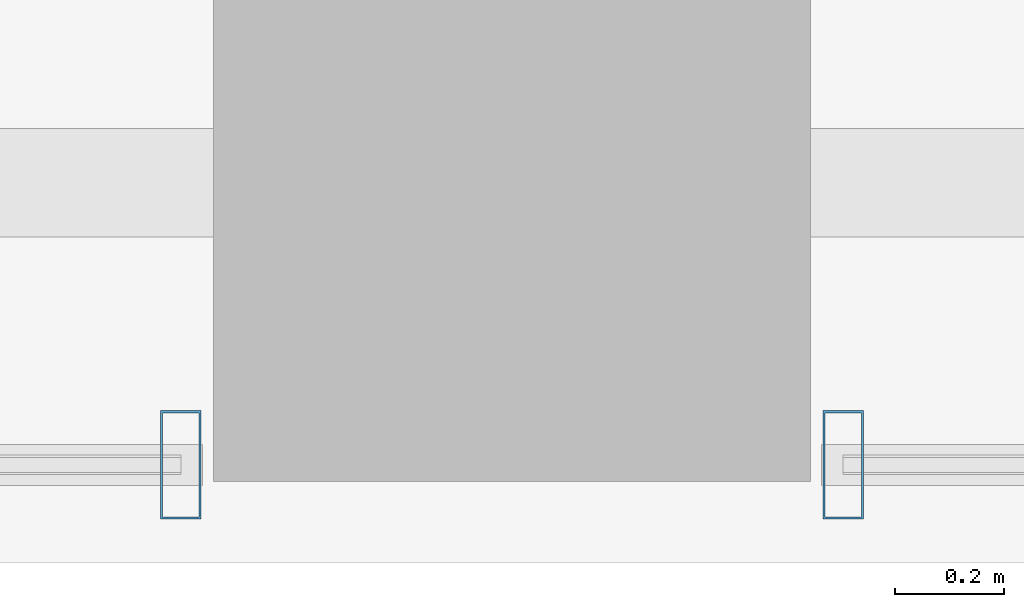
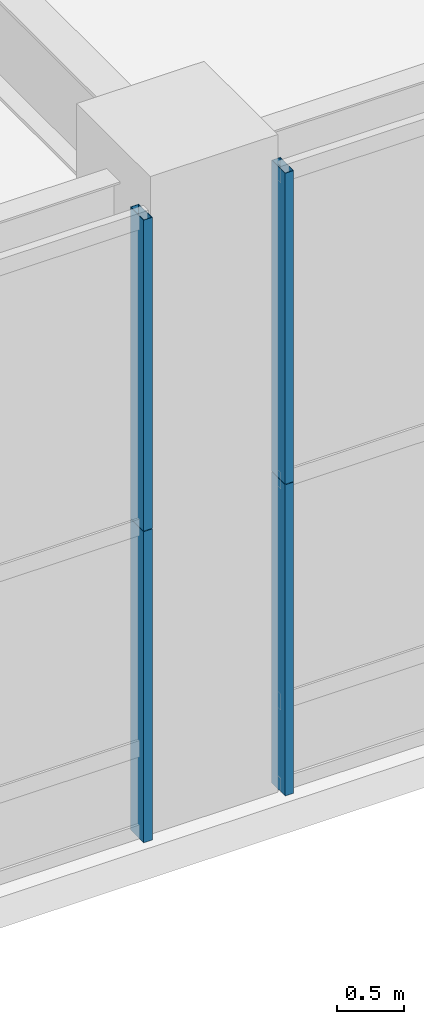
# One storey, part 11 of 39: 4 members, 2 elements without a shape of their own.
"""IFC4 building model written with IfcOpenShell, lengths in metres."""

import ifcopenshell
import ifcopenshell.guid

model = None  # the IFC model being written
_history = None  # IfcOwnerHistory: only IFC2X3 demands one
_inside = {}  # id of a spatial element -> (the spatial element, [elements in it])
_under = {}  # id of a project, library or spatial element -> (it, [spatial elements below it])
_declared = {}  # id of a project -> (the project, [libraries it declares])
_typed = {}  # id of a type object -> (the type object, [elements of that type])
_made_of = {}  # id of a material, layer set ... -> (it, [elements and type objects made of it])


def new_model(schema):
    """Start an empty IFC model of exactly this schema.

    Asked for "IFC4X3", IfcOpenShell would pick the latest addendum, in which some entities
    have other attributes; the version numbers below select the first issue.
    IFC2X3 requires an IfcOwnerHistory on every rooted entity: one is made here for all.
    """
    global model, _history
    if schema == "IFC4X3":
        model = ifcopenshell.file(schema_version=(4, 3, 0, 0))
    else:
        model = ifcopenshell.file(schema=schema)
    _inside.clear()
    _under.clear()
    _declared.clear()
    _typed.clear()
    _made_of.clear()
    _history = None
    if model.schema == "IFC2X3":
        org = make("IfcOrganization", Name="unknown")
        user = make(
            "IfcPersonAndOrganization",
            ThePerson=make("IfcPerson", FamilyName="unknown"),
            TheOrganization=org,
        )
        app = make(
            "IfcApplication",
            ApplicationDeveloper=org,
            Version="unknown",
            ApplicationFullName="unknown",
            ApplicationIdentifier="unknown",
        )
        _history = make(
            "IfcOwnerHistory",
            OwningUser=user,
            OwningApplication=app,
            ChangeAction="ADDED",
            CreationDate=0,
        )
    return model


def make(cls, **values):
    """One entity of the class cls with the attributes given. An attribute that is None is left unset."""
    return model.create_entity(
        cls, **{name: value for name, value in values.items() if value is not None}
    )


def rooted(cls, **values):
    """An entity with a GlobalId (a new one), such as an element, a storey or a relation."""
    return make(cls, GlobalId=ifcopenshell.guid.new(), OwnerHistory=_history, **values)


def si_unit(unit_type, name, prefix=None):
    """IfcSIUnit, for example si_unit("LENGTHUNIT", "METRE", prefix="MILLI")."""
    return make("IfcSIUnit", UnitType=unit_type, Prefix=prefix, Name=name)


def assignment(units):
    """IfcUnitAssignment: the units of a project."""
    return None if units is None else make("IfcUnitAssignment", Units=units)


def point(xyz):
    """IfcCartesianPoint."""
    return None if xyz is None else make("IfcCartesianPoint", Coordinates=xyz)


def direction(xyz):
    """IfcDirection."""
    return None if xyz is None else make("IfcDirection", DirectionRatios=xyz)


def frame(location, z_axis=None, x_axis=None):
    """IfcAxis2Placement3D, a coordinate frame: its origin and axes. An axis left out is left unset."""
    return make(
        "IfcAxis2Placement3D",
        Location=point(location),
        Axis=direction(z_axis),
        RefDirection=direction(x_axis),
    )


def frame_2d(location, x_axis=None):
    """IfcAxis2Placement2D, a coordinate frame in the plane: its origin and x axis."""
    return make(
        "IfcAxis2Placement2D", Location=point(location), RefDirection=direction(x_axis)
    )


def origin():
    """The frame at (0, 0, 0) with its axes left unset."""
    return frame((0.0, 0.0, 0.0))


def origin_2d():
    """The frame at (0, 0) in the plane with its x axis left unset."""
    return frame_2d((0.0, 0.0))


def place(relative_to, where):
    """IfcLocalPlacement: puts the frame where relative to a parent placement (None: the world)."""
    return make(
        "IfcLocalPlacement", PlacementRelTo=relative_to, RelativePlacement=where
    )


def context(
    kind, dimensions, precision=None, world=None, true_north=None, identifier=None
):
    """IfcGeometricRepresentationContext, for example the 3D "Model" context."""
    return make(
        "IfcGeometricRepresentationContext",
        ContextIdentifier=identifier,
        ContextType=kind,
        CoordinateSpaceDimension=dimensions,
        Precision=precision,
        WorldCoordinateSystem=world,
        TrueNorth=true_north,
    )


def subcontext(parent, identifier, kind, view, scale=None):
    """IfcGeometricRepresentationSubContext, for example "Body" below "Model"."""
    return make(
        "IfcGeometricRepresentationSubContext",
        ContextIdentifier=identifier,
        ContextType=kind,
        ParentContext=parent,
        TargetScale=scale,
        TargetView=view,
    )


def project(units=None, contexts=None):
    """IfcProject with its units and contexts."""
    return rooted(
        "IfcProject",
        Name="project",
        RepresentationContexts=contexts,
        UnitsInContext=assignment(units),
    )


def spatial(cls, under=None, at=None, **own):
    """A site, building, storey or space (cls), placed at a placement, below another one or the project."""
    s = rooted(cls, ObjectPlacement=at, **own)
    if under is not None:
        _under.setdefault(under.id(), (under, []))[1].append(s)
    return s


def profile(cls, at=None, kind="AREA", **sizes):
    """A parametric profile (cls). Its sizes go by their IFC names, for example OverallWidth=200.0."""
    return make(cls, ProfileType=kind, Position=at, **sizes)


def hollow_rectangle(**sizes):
    """IfcRectangleHollowProfileDef."""
    return profile("IfcRectangleHollowProfileDef", **sizes)


def extrude(swept, where, along, depth):
    """IfcExtrudedAreaSolid: the profile swept, set in the frame where, extruded along a direction by depth."""
    return make(
        "IfcExtrudedAreaSolid",
        SweptArea=swept,
        Position=where,
        ExtrudedDirection=direction(along),
        Depth=depth,
    )


def shape(context_of_items, identifier, shape_type, items):
    """IfcShapeRepresentation: the items that make up one representation, for example the "Body"."""
    return make(
        "IfcShapeRepresentation",
        ContextOfItems=context_of_items,
        RepresentationIdentifier=identifier,
        RepresentationType=shape_type,
        Items=items,
    )


def source(mapping_origin, context_of_items, identifier, shape_type, items):
    """IfcRepresentationMap: a shape defined once, which mapped items show again and again."""
    return make(
        "IfcRepresentationMap",
        MappingOrigin=mapping_origin,
        MappedRepresentation=shape(context_of_items, identifier, shape_type, items),
    )


def transform(
    local_origin,
    x_axis=None,
    y_axis=None,
    z_axis=None,
    scale=None,
    scale2=None,
    scale3=None,
    uniform=True,
):
    """IfcCartesianTransformationOperator3D, or its non-uniform kind. x_axis, y_axis, z_axis: its Axis1, 2, 3."""
    if uniform:
        return make(
            "IfcCartesianTransformationOperator3D",
            Axis1=direction(x_axis),
            Axis2=direction(y_axis),
            LocalOrigin=point(local_origin),
            Scale=scale,
            Axis3=direction(z_axis),
        )
    return make(
        "IfcCartesianTransformationOperator3DnonUniform",
        Axis1=direction(x_axis),
        Axis2=direction(y_axis),
        LocalOrigin=point(local_origin),
        Scale=scale,
        Axis3=direction(z_axis),
        Scale2=scale2,
        Scale3=scale3,
    )


def mapped(mapping_source, mapping_target):
    """IfcMappedItem: shows the shape of a source again, moved by a transform."""
    return make(
        "IfcMappedItem", MappingSource=mapping_source, MappingTarget=mapping_target
    )


def material(Name=None, Category=None):
    """IfcMaterial."""
    return make("IfcMaterial", Name=Name, Category=Category)


def layer(
    of_material, thickness, ventilated=None, Name=None, Category=None, Priority=None
):
    """IfcMaterialLayer: one layer of a wall or slab, of a material (None: an air gap)."""
    return make(
        "IfcMaterialLayer",
        Material=of_material,
        LayerThickness=thickness,
        IsVentilated=ventilated,
        Name=Name,
        Category=Category,
        Priority=Priority,
    )


def layer_set(layers, Name=None):
    """IfcMaterialLayerSet."""
    return make("IfcMaterialLayerSet", MaterialLayers=layers, LayerSetName=Name)


def material_profile(
    of_material, cross_section, Name=None, Category=None, Priority=None
):
    """IfcMaterialProfile: a cross section and its material."""
    return make(
        "IfcMaterialProfile",
        Name=Name,
        Material=of_material,
        Profile=cross_section,
        Priority=Priority,
        Category=Category,
    )


def profile_set(profiles, Name=None, composite=None):
    """IfcMaterialProfileSet."""
    return make(
        "IfcMaterialProfileSet",
        Name=Name,
        MaterialProfiles=profiles,
        CompositeProfile=composite,
    )


def made_of(thing, what):
    """Note that an element or type object is made of a material, layer set ...; save() writes the relation."""
    if what is not None:
        _made_of.setdefault(what.id(), (what, []))[1].append(thing)
    return thing


def type_object(cls, material=None, **own):
    """A type object (cls), such as IfcWallType, which elements share."""
    return made_of(rooted(cls, **own), material)


def element(
    cls,
    number,
    at=None,
    inside=None,
    cuts=None,
    type_object=None,
    material=None,
    context=None,
    identifier="Body",
    shape_type=None,
    held_by="IfcProductDefinitionShape",
    body=None,
    shapes=None,
    **own,
):
    """One element of the class cls, such as IfcWall. Its Tag is "e" and its number.

    at: its placement. inside: the storey or other place that contains it. cuts: it is an
    opening in that element (IfcRelVoidsElement). A single representation is given by context,
    identifier, shape_type and body (its items); several are given by shapes. held_by: the class
    of the entity that holds the representations. save() writes the other relations.
    """
    e = rooted(cls, Tag="e%d" % number, ObjectPlacement=at, **own)
    if body is not None:
        shapes = [shape(context, identifier, shape_type, body)]
    if shapes is not None:
        e.Representation = make(held_by, Representations=shapes)
    if inside is not None:
        _inside.setdefault(inside.id(), (inside, []))[1].append(e)
    if cuts is not None:
        rooted(
            "IfcRelVoidsElement", RelatingBuildingElement=cuts, RelatedOpeningElement=e
        )
    if type_object is not None:
        _typed.setdefault(type_object.id(), (type_object, []))[1].append(e)
    return made_of(e, material)


def aggregate(whole, parts):
    """IfcRelAggregates: a whole, such as a stair, and the parts it consists of."""
    return rooted("IfcRelAggregates", RelatingObject=whole, RelatedObjects=parts)


def save(model, path):
    """Write the relations noted so far, then the file.

    IfcRelAggregates (storeys below a building ...), IfcRelContainedInSpatialStructure (elements
    in a storey), IfcRelDefinesByType, IfcRelAssociatesMaterial and IfcRelDeclares: one each for
    every whole, place, type object, material and project.
    """
    for whole, parts in _under.values():
        aggregate(whole, parts)
    for where, things in _inside.values():
        rooted(
            "IfcRelContainedInSpatialStructure",
            RelatedElements=things,
            RelatingStructure=where,
        )
    for kind, things in _typed.values():
        rooted("IfcRelDefinesByType", RelatedObjects=things, RelatingType=kind)
    for what, things in _made_of.values():
        rooted("IfcRelAssociatesMaterial", RelatedObjects=things, RelatingMaterial=what)
    for by, libraries in _declared.values():
        rooted("IfcRelDeclares", RelatingContext=by, RelatedDefinitions=libraries)
    model.write(path)


model = new_model("IFC4")

# Units and contexts
model_context = context("Model", 3, precision=1e-05, world=origin(), true_north=direction((0.0, 1.0)))
body_context = subcontext(model_context, "Body", "Model", "MODEL_VIEW")
ifc_project = project(units=[si_unit("LENGTHUNIT", "METRE"), si_unit("AREAUNIT", "SQUARE_METRE"), si_unit("VOLUMEUNIT", "CUBIC_METRE"), si_unit("PLANEANGLEUNIT", "RADIAN"), si_unit("MASSUNIT", "GRAM", prefix="KILO"), si_unit("THERMODYNAMICTEMPERATUREUNIT", "KELVIN"), si_unit("POWERUNIT", "WATT")], contexts=[model_context])

# Site, building, storey
site_placement = place(None, origin())
site = spatial("IfcSite", under=ifc_project, at=site_placement, CompositionType="ELEMENT")
building_placement = place(site_placement, origin())
building = spatial("IfcBuilding", under=site, at=building_placement, Name="Yuzanri Waterfront Tower", CompositionType="ELEMENT")
storey_placement = place(building_placement, frame((0.0, 0.0, 19.800048828125)))
storey = spatial("IfcBuildingStorey", under=building, at=storey_placement, Name="L05", CompositionType="ELEMENT", Elevation=19.800048828125)

# Curtain wall, members
ifc_material_1 = material(Name="Anodized Architectural Bronze", Category="metal")
ifc_layer = layer(ifc_material_1, 0.159912109375)
ifc_layer_set = layer_set([ifc_layer], Name="Anodized Architectural Bronze")
curtain_wall_type = type_object("IfcCurtainWallType", Name="Anodized Bronze Podium Waterfront Double-Height Unitized Curtain Wall 8400", PredefinedType="NOTDEFINED", material=ifc_layer_set)
curtain_wall_1_placement = place(storey_placement, origin())
curtain_wall_1 = element("IfcCurtainWall", 1, at=curtain_wall_1_placement, inside=storey, type_object=curtain_wall_type, Name="L05 Curtain Wall CW-L05-S1", PredefinedType="NOTDEFINED")
ifc_material_2 = material(Name="Anodized Architectural Bronze", Category="metal")
ifc_material_profile = material_profile(ifc_material_2, hollow_rectangle(XDim=0.074951171875, YDim=0.199951171875, WallThickness=0.00390625, at=origin_2d()), Name="CWM 75x200")
ifc_profile_set = profile_set([ifc_material_profile], Name="Anodized Architectural Bronze")
member_type = type_object("IfcMemberType", Name="Anodized Bronze Primary Curtain-Wall Mullion 75x200", PredefinedType="MULLION", material=ifc_profile_set)
shared_shape = source(origin(), body_context, "Body", "SweptSolid", [
    extrude(hollow_rectangle(XDim=0.074951171875, YDim=0.199951171875, WallThickness=0.00390625, at=origin_2d()), origin(), (0.0, 0.0, 1.0), 2.837890625),
])
member_1_placement = place(storey_placement, frame((36.389892578125, 1.97998046875, 0.0), z_axis=(0.0, 0.0, 1.0), x_axis=(1.0, 0.0, 0.0)))
member_1 = element("IfcMember", 2, at=member_1_placement, type_object=member_type, Name="CW-L05-S1 Lower Mullion 02", PredefinedType="MULLION", context=body_context, shape_type="MappedRepresentation", body=[
    mapped(shared_shape, transform((0.0, 0.0, 0.0), scale=1.0)),
])
member_2_placement = place(storey_placement, frame((36.389892578125, 1.97998046875, 2.842041015625), z_axis=(0.0, 0.0, 1.0), x_axis=(1.0, 0.0, 0.0)))
member_2 = element("IfcMember", 3, at=member_2_placement, type_object=member_type, Name="CW-L05-S1 Upper Mullion 02", PredefinedType="MULLION", context=body_context, shape_type="MappedRepresentation", body=[
    mapped(shared_shape, transform((0.0, 0.0, 0.0), scale=1.0)),
])
aggregate(curtain_wall_1, [member_1, member_2])

curtain_wall_2_placement = place(storey_placement, origin())
curtain_wall_2 = element("IfcCurtainWall", 4, at=curtain_wall_2_placement, inside=storey, type_object=curtain_wall_type, Name="L05 Curtain Wall CW-L05-S2", PredefinedType="NOTDEFINED")
member_3_placement = place(storey_placement, frame((37.610107421875, 1.97998046875, 0.0), z_axis=(0.0, 0.0, 1.0), x_axis=(1.0, 0.0, 0.0)))
member_3 = element("IfcMember", 5, at=member_3_placement, type_object=member_type, Name="CW-L05-S2 Lower Mullion 00", PredefinedType="MULLION", context=body_context, shape_type="MappedRepresentation", body=[
    mapped(shared_shape, transform((0.0, 0.0, 0.0), scale=1.0)),
])
member_4_placement = place(storey_placement, frame((37.610107421875, 1.97998046875, 2.842041015625), z_axis=(0.0, 0.0, 1.0), x_axis=(1.0, 0.0, 0.0)))
member_4 = element("IfcMember", 6, at=member_4_placement, type_object=member_type, Name="CW-L05-S2 Upper Mullion 00", PredefinedType="MULLION", context=body_context, shape_type="MappedRepresentation", body=[
    mapped(shared_shape, transform((0.0, 0.0, 0.0), scale=1.0)),
])
aggregate(curtain_wall_2, [member_3, member_4])

save(model, "model.ifc")
